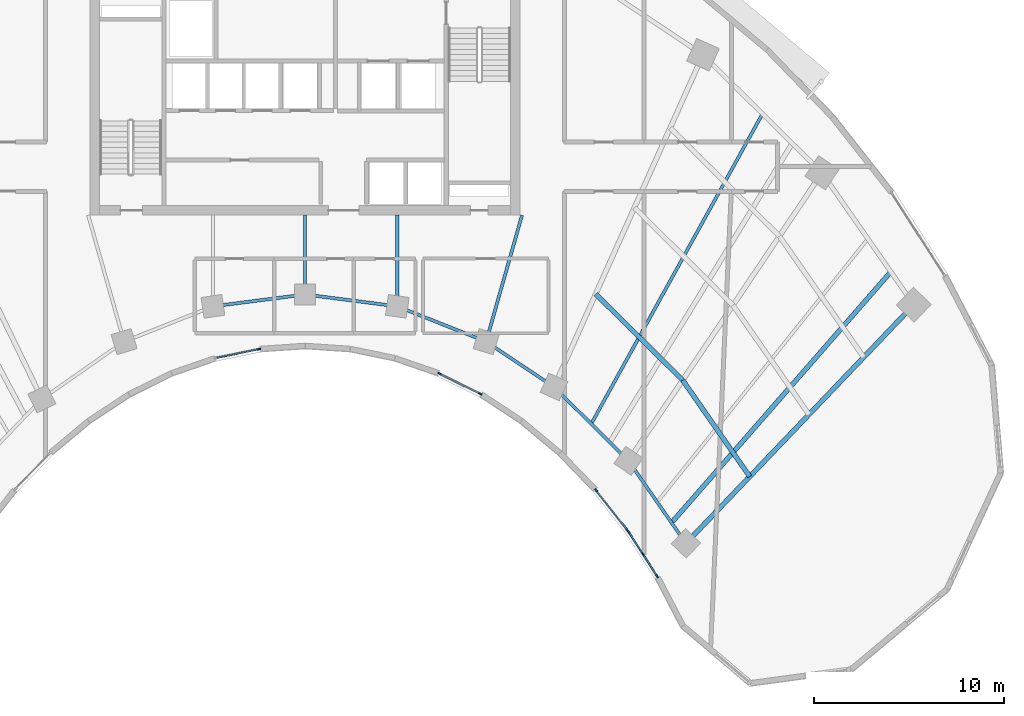
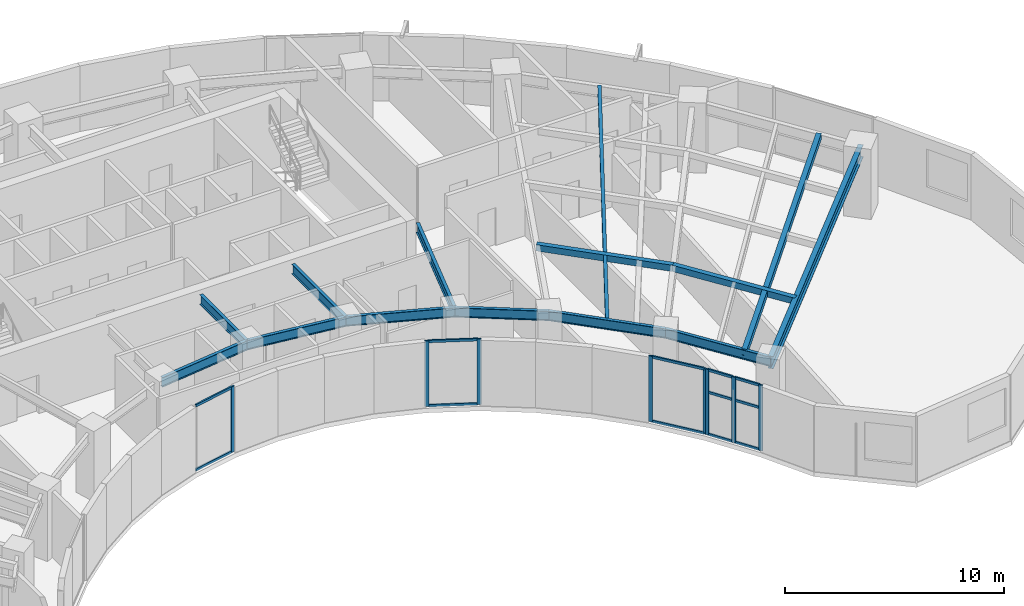
# One storey, part 3 of 14: 20 members, 14 beams, 4 elements without a shape of their own.
"""IFC4 building model written with IfcOpenShell, lengths in metres."""

from ifc_helpers import new_model, si_unit, direction, frame, origin, origin_2d, place, context, subcontext, project, spatial, rectangle, hollow_rectangle, i_section, extrude, source, transform, mapped, material, layer, layer_set, material_profile, profile_set, type_object, type_shapes, element, aggregate, save


model = new_model("IFC4")

# Units and contexts
model_context = context("Model", 3, precision=1e-05, world=origin(), true_north=direction((0.0, 1.0)))
body_context = subcontext(model_context, "Body", "Model", "MODEL_VIEW")
ifc_project = project(units=[si_unit("LENGTHUNIT", "METRE"), si_unit("AREAUNIT", "SQUARE_METRE"), si_unit("VOLUMEUNIT", "CUBIC_METRE"), si_unit("PLANEANGLEUNIT", "RADIAN"), si_unit("MASSUNIT", "GRAM", prefix="KILO")], contexts=[model_context])

# Site, building, storey
site_placement = place(None, origin())
site = spatial("IfcSite", under=ifc_project, at=site_placement, CompositionType="ELEMENT")
building_placement = place(site_placement, origin())
building = spatial("IfcBuilding", under=site, at=building_placement, Name="Breltana Convention Tower", CompositionType="ELEMENT")
storey_placement = place(building_placement, frame((0.0, 0.0, 131.10009765625)))
storey = spatial("IfcBuildingStorey", under=building, at=storey_placement, Name="L31", CompositionType="ELEMENT", Elevation=131.10009765625)

# Beams
ifc_material_1 = material(Name="Steel ASTM A992 Grade 50", Category="steel")
ifc_material_profile_1 = material_profile(ifc_material_1, i_section(OverallWidth=0.25390625, OverallDepth=0.68798828125, WebThickness=0.01318359375, FlangeThickness=0.02099609375, at=origin_2d()), Name="W27X102")
ifc_profile_set_1 = profile_set([ifc_material_profile_1], Name="Steel ASTM A992 Grade 50")
beam_type_1 = type_object("IfcBeamType", Name="BM-RG-W27X102", PredefinedType="USERDEFINED", material=ifc_profile_set_1)
shared_shape_1 = source(origin(), body_context, "Body", "SweptSolid", [
    extrude(i_section(OverallWidth=0.25390625, OverallDepth=0.68798828125, WebThickness=0.01318359375, FlangeThickness=0.02099609375, at=origin_2d()), origin(), (0.0, 0.0, 1.0), 17.341064453125),
])
type_shapes(beam_type_1, [shared_shape_1])
beam_1_placement = place(storey_placement, frame((68.015380859375, 42.95458984375, 3.305908203125), z_axis=(0.690716462293, 0.723125693581, 0.0), x_axis=(-0.723125693581, 0.690716462293, 0.0)))
element("IfcBeam", 1, at=beam_1_placement, inside=storey, type_object=beam_type_1, Name="L31 Radial Floor Girder R11", ObjectType="GIRDER", PredefinedType="USERDEFINED", context=body_context, shape_type="MappedRepresentation", body=[
    mapped(shared_shape_1, transform((0.0, 0.0, 0.0), scale=1.0)),
])
ifc_material_profile_2 = material_profile(ifc_material_1, i_section(OverallWidth=0.166015625, OverallDepth=0.534912109375, WebThickness=0.01025390625, FlangeThickness=0.0166015625, at=origin_2d()), Name="W21X57")
ifc_profile_set_2 = profile_set([ifc_material_profile_2], Name="Steel ASTM A992 Grade 50")
beam_type_2 = type_object("IfcBeamType", Name="BM-BM-W21X57", PredefinedType="BEAM", material=ifc_profile_set_2)
shared_shape_2 = source(origin(), body_context, "Body", "SweptSolid", [
    extrude(i_section(OverallWidth=0.166015625, OverallDepth=0.534912109375, WebThickness=0.01025390625, FlangeThickness=0.0166015625, at=origin_2d()), origin(), (0.0, 0.0, 1.0), 6.904541015625),
])
type_shapes(beam_type_2, [shared_shape_2])
beam_2_placement = place(storey_placement, frame((59.39990234375, 60.199951171875, 3.38232421875), z_axis=(-0.273006781054, -0.962012108811, 0.0), x_axis=(0.962012108811, -0.273006781054, 0.0)))
element("IfcBeam", 2, at=beam_2_placement, inside=storey, type_object=beam_type_2, Name="L31 South Core Tie Girder R08", PredefinedType="BEAM", context=body_context, shape_type="MappedRepresentation", body=[
    mapped(shared_shape_2, transform((0.0, 0.0, 0.0), scale=1.0)),
])
shared_shape_3 = source(origin(), body_context, "Body", "SweptSolid", [
    extrude(i_section(OverallWidth=0.166015625, OverallDepth=0.534912109375, WebThickness=0.01025390625, FlangeThickness=0.0166015625, at=origin_2d()), origin(), (0.0, 0.0, 1.0), 4.789306640625),
])
beam_3_placement = place(storey_placement, frame((52.846435546875, 60.199951171875, 3.38232421875), z_axis=(0.0, -1.0, 0.0), x_axis=(1.0, 0.0, 0.0)))
element("IfcBeam", 3, at=beam_3_placement, inside=storey, type_object=beam_type_2, Name="L31 South Core Tie Girder R07", PredefinedType="BEAM", context=body_context, shape_type="MappedRepresentation", body=[
    mapped(shared_shape_3, transform((0.0, 0.0, 0.0), scale=1.0)),
])
shared_shape_4 = source(origin(), body_context, "Body", "SweptSolid", [
    extrude(i_section(OverallWidth=0.166015625, OverallDepth=0.534912109375, WebThickness=0.01025390625, FlangeThickness=0.0166015625, at=origin_2d()), origin(), (0.0, 0.0, 1.0), 4.1640625),
])
beam_4_placement = place(storey_placement, frame((48.0, 60.199951171875, 3.38232421875), z_axis=(0.0, -1.0, 0.0), x_axis=(1.0, 0.0, 0.0)))
element("IfcBeam", 4, at=beam_4_placement, inside=storey, type_object=beam_type_2, Name="L31 South Core Tie Girder R06", PredefinedType="BEAM", context=body_context, shape_type="MappedRepresentation", body=[
    mapped(shared_shape_4, transform((0.0, 0.0, 0.0), scale=1.0)),
])
shared_shape_5 = source(origin(), body_context, "Body", "SweptSolid", [
    extrude(i_section(OverallWidth=0.166015625, OverallDepth=0.534912109375, WebThickness=0.01025390625, FlangeThickness=0.0166015625, at=origin_2d()), origin(), (0.0, 0.0, 1.0), 5.022705078125),
])
beam_5_placement = place(storey_placement, frame((52.846435546875, 55.41064453125, 3.38232421875), z_axis=(0.929458966248, -0.368925507469, 0.0), x_axis=(0.368925507469, 0.929458966248, 0.0)))
element("IfcBeam", 5, at=beam_5_placement, inside=storey, type_object=beam_type_2, Name="L31 Inner Ring Beam 07", PredefinedType="BEAM", context=body_context, shape_type="MappedRepresentation", body=[
    mapped(shared_shape_5, transform((0.0, 0.0, 0.0), scale=1.0)),
])
shared_shape_6 = source(origin(), body_context, "Body", "SweptSolid", [
    extrude(i_section(OverallWidth=0.166015625, OverallDepth=0.534912109375, WebThickness=0.01025390625, FlangeThickness=0.0166015625, at=origin_2d()), origin(), (0.0, 0.0, 1.0), 4.88671875),
])
for number, where, z_axis, x_axis, name in (
    (6, (43.153564453125, 55.41064453125, 3.38232421875), (0.991780525565, 0.127950729231, 0.0), (-0.127950729231, 0.991780525565, 0.0), "L31 Inner Ring Beam 05"),
    (7, (48.0, 56.035888671875, 3.38232421875), (0.991780525565, -0.127950729231, 0.0), (0.127950729231, 0.991780525565, 0.0), "L31 Inner Ring Beam 06"),
):
    element("IfcBeam", number, at=place(storey_placement, frame(where, z_axis=z_axis, x_axis=x_axis)), inside=storey, type_object=beam_type_2, Name=name, PredefinedType="BEAM", context=body_context, shape_type="MappedRepresentation", body=[
        mapped(shared_shape_6, transform((0.0, 0.0, 0.0), scale=1.0)),
    ])
shared_shape_7 = source(origin(), body_context, "Body", "SweptSolid", [
    extrude(i_section(OverallWidth=0.166015625, OverallDepth=0.534912109375, WebThickness=0.01025390625, FlangeThickness=0.0166015625, at=origin_2d()), origin(), (0.0, 0.0, 1.0), 4.2900390625),
])
beam_6_placement = place(storey_placement, frame((57.514892578125, 53.5576171875, 3.38232421875), z_axis=(0.831515827753, -0.555501060482, 0.0), x_axis=(0.555501060482, 0.831515827753, 0.0)))
element("IfcBeam", 8, at=beam_6_placement, inside=storey, type_object=beam_type_2, Name="L31 Inner Ring Beam 08", PredefinedType="BEAM", context=body_context, shape_type="MappedRepresentation", body=[
    mapped(shared_shape_7, transform((0.0, 0.0, 0.0), scale=1.0)),
])
shared_shape_8 = source(origin(), body_context, "Body", "SweptSolid", [
    extrude(i_section(OverallWidth=0.166015625, OverallDepth=0.534912109375, WebThickness=0.01025390625, FlangeThickness=0.0166015625, at=origin_2d()), origin(), (0.0, 0.0, 1.0), 5.51171875),
])
beam_7_placement = place(storey_placement, frame((61.08203125, 51.174560546875, 3.38232421875), z_axis=(0.710090360749, -0.704110559196, 0.0), x_axis=(0.704110559196, 0.710090360749, 0.0)))
element("IfcBeam", 9, at=beam_7_placement, inside=storey, type_object=beam_type_2, Name="L31 Inner Ring Beam 09", PredefinedType="BEAM", context=body_context, shape_type="MappedRepresentation", body=[
    mapped(shared_shape_8, transform((0.0, 0.0, 0.0), scale=1.0)),
])
shared_shape_9 = source(origin(), body_context, "Body", "SweptSolid", [
    extrude(i_section(OverallWidth=0.166015625, OverallDepth=0.534912109375, WebThickness=0.01025390625, FlangeThickness=0.0166015625, at=origin_2d()), origin(), (0.0, 0.0, 1.0), 5.286376953125),
])
beam_8_placement = place(storey_placement, frame((64.995849609375, 47.293701171875, 3.38232421875), z_axis=(0.571194382458, -0.82081482531, 0.0), x_axis=(0.82081482531, 0.571194382458, 0.0)))
element("IfcBeam", 10, at=beam_8_placement, inside=storey, type_object=beam_type_2, Name="L31 Inner Ring Beam 10", PredefinedType="BEAM", context=body_context, shape_type="MappedRepresentation", body=[
    mapped(shared_shape_9, transform((0.0, 0.0, 0.0), scale=1.0)),
])
ifc_material_profile_3 = material_profile(ifc_material_1, hollow_rectangle(XDim=0.25, YDim=0.35009765625, WallThickness=0.011962890625, at=origin_2d()), Name="RHS350X250X12")
ifc_profile_set_3 = profile_set([ifc_material_profile_3], Name="Steel ASTM A992 Grade 50")
beam_type_3 = type_object("IfcBeamType", Name="BM-JSG-12", PredefinedType="JOIST", material=ifc_profile_set_3)
shared_shape_10 = source(origin(), body_context, "Body", "SweptSolid", [
    extrude(hollow_rectangle(XDim=0.25, YDim=0.35009765625, WallThickness=0.011962890625, at=origin_2d()), origin(), (0.0, 0.0, 1.0), 6.435302734375),
])
beam_9_placement = place(storey_placement, frame((63.27392578125, 56.06298828125, 3.474853515625), z_axis=(0.710116389828, -0.704084308089, 0.0), x_axis=(0.704084308089, 0.710116389828, 0.0)))
element("IfcBeam", 11, at=beam_9_placement, inside=storey, type_object=beam_type_3, Name="L31 Composite Floor Joist 09.1", PredefinedType="JOIST", context=body_context, shape_type="MappedRepresentation", body=[
    mapped(shared_shape_10, transform((0.0, 0.0, 0.0), scale=1.0)),
])
ifc_material_profile_4 = material_profile(ifc_material_1, i_section(OverallWidth=0.166015625, OverallDepth=0.534912109375, WebThickness=0.01025390625, FlangeThickness=0.0166015625, at=origin_2d()), Name="W21X57")
ifc_profile_set_4 = profile_set([ifc_material_profile_4], Name="Steel ASTM A992 Grade 50")
beam_type_4 = type_object("IfcBeamType", Name="BM-JSG-05", PredefinedType="JOIST", material=ifc_profile_set_4)
shared_shape_11 = source(origin(), body_context, "Body", "SweptSolid", [
    extrude(i_section(OverallWidth=0.166015625, OverallDepth=0.534912109375, WebThickness=0.01025390625, FlangeThickness=0.0166015625, at=origin_2d()), origin(), (0.0, 0.0, 1.0), 18.617431640625),
])
beam_10_placement = place(storey_placement, frame((63.038818359375, 49.234130859375, 3.38232421875), z_axis=(0.483405602507, 0.875396495004, 0.0), x_axis=(-0.875396495004, 0.483405602507, 0.0)))
element("IfcBeam", 12, at=beam_10_placement, inside=storey, type_object=beam_type_4, Name="L31 Mid-Bay Radial Trimmer 09", PredefinedType="JOIST", context=body_context, shape_type="MappedRepresentation", body=[
    mapped(shared_shape_11, transform((0.0, 0.0, 0.0), scale=1.0)),
])
shared_shape_12 = source(origin(), body_context, "Body", "SweptSolid", [
    extrude(hollow_rectangle(XDim=0.25, YDim=0.35009765625, WallThickness=0.011962890625, at=origin_2d()), origin(), (0.0, 0.0, 1.0), 6.172119140625),
])
beam_11_placement = place(storey_placement, frame((67.84375, 51.531982421875, 3.474853515625), z_axis=(0.571211663392, -0.820802799462, 0.0), x_axis=(0.820802799462, 0.571211663392, 0.0)))
element("IfcBeam", 13, at=beam_11_placement, inside=storey, type_object=beam_type_3, Name="L31 Composite Floor Joist 10.1", PredefinedType="JOIST", context=body_context, shape_type="MappedRepresentation", body=[
    mapped(shared_shape_12, transform((0.0, 0.0, 0.0), scale=1.0)),
])
shared_shape_13 = source(origin(), body_context, "Body", "SweptSolid", [
    extrude(hollow_rectangle(XDim=0.25, YDim=0.35009765625, WallThickness=0.011962890625, at=origin_2d()), origin(), (0.0, 0.0, 1.0), 17.515625),
])
beam_12_placement = place(storey_placement, frame((67.260498046875, 44.03955078125, 3.474853515625), z_axis=(0.658051548324, 0.752972881151, 0.0), x_axis=(-0.752972881151, 0.658051548324, 0.0)))
element("IfcBeam", 14, at=beam_12_placement, inside=storey, type_object=beam_type_3, Name="L31 Quarter-Bay Radial Trimmer 10", PredefinedType="JOIST", context=body_context, shape_type="MappedRepresentation", body=[
    mapped(shared_shape_13, transform((0.0, 0.0, 0.0), scale=1.0)),
])

# Curtain wall, members
ifc_material_2 = material(Name="Aluminium Anodised Bronze Frame", Category="aluminium")
ifc_layer = layer(ifc_material_2, 0.18994140625, Name="Aluminium Anodised Bronze Frame")
ifc_layer_set = layer_set([ifc_layer], Name="Aluminium Anodised Bronze Frame")
curtain_wall_type = type_object("IfcCurtainWallType", Name="CW-SYS-1", PredefinedType="NOTDEFINED", material=ifc_layer_set)
curtain_wall_1_placement = place(storey_placement, origin())
curtain_wall_1 = element("IfcCurtainWall", 15, at=curtain_wall_1_placement, inside=storey, type_object=curtain_wall_type, Name="L31 inner south-court glazing 1", PredefinedType="NOTDEFINED")
ifc_material_3 = material(Name="Aluminium Anodised Bronze", Category="aluminium")
ifc_material_profile_5 = material_profile(ifc_material_3, rectangle(XDim=0.080078125, YDim=0.139892578125, at=origin_2d()), Name="CWT-80X140")
ifc_profile_set_5 = profile_set([ifc_material_profile_5], Name="Aluminium Anodised Bronze")
member_type_1 = type_object("IfcMemberType", Name="CWT-140", PredefinedType="USERDEFINED", material=ifc_profile_set_5)
shared_shape_14 = source(origin(), body_context, "Body", "SweptSolid", [
    extrude(rectangle(XDim=0.080078125, YDim=0.139892578125, at=origin_2d()), origin(), (0.0, 0.0, 1.0), 1.30029296875),
])
member_1_placement = place(storey_placement, frame((66.4794921875, 41.259521484375, 0.039794921875), z_axis=(-0.540188084224, 0.841544314735, 0.0), x_axis=(-0.841544314735, -0.540188084224, 0.0)))
member_1 = element("IfcMember", 16, at=member_1_placement, type_object=member_type_1, Name="CW-01 transom 1.1", ObjectType="TRANSOM", PredefinedType="USERDEFINED", context=body_context, shape_type="MappedRepresentation", body=[
    mapped(shared_shape_14, transform((0.0, 0.0, 0.0), scale=1.0)),
])
member_2_placement = place(storey_placement, frame((66.4794921875, 41.259521484375, 2.372314453125), z_axis=(-0.540188084224, 0.841544314735, 0.0), x_axis=(-0.841544314735, -0.540188084224, 0.0)))
member_2 = element("IfcMember", 17, at=member_2_placement, type_object=member_type_1, Name="CW-01 transom 1.2", ObjectType="TRANSOM", PredefinedType="USERDEFINED", context=body_context, shape_type="MappedRepresentation", body=[
    mapped(shared_shape_14, transform((0.0, 0.0, 0.0), scale=1.0)),
])
member_3_placement = place(storey_placement, frame((66.4794921875, 41.259521484375, 3.60986328125), z_axis=(-0.540188084224, 0.841544314735, 0.0), x_axis=(-0.841544314735, -0.540188084224, 0.0)))
member_3 = element("IfcMember", 18, at=member_3_placement, type_object=member_type_1, Name="CW-01 transom 1.3", ObjectType="TRANSOM", PredefinedType="USERDEFINED", context=body_context, shape_type="MappedRepresentation", body=[
    mapped(shared_shape_14, transform((0.0, 0.0, 0.0), scale=1.0)),
])
shared_shape_15 = source(origin(), body_context, "Body", "SweptSolid", [
    extrude(rectangle(XDim=0.080078125, YDim=0.139892578125, at=origin_2d()), origin(), (0.0, 0.0, 1.0), 1.300048828125),
])
member_4_placement = place(storey_placement, frame((65.73388671875, 42.4208984375, 0.039794921875), z_axis=(-0.540140453972, 0.841574886735, 0.0), x_axis=(-0.841574886735, -0.540140453972, 0.0)))
member_4 = element("IfcMember", 19, at=member_4_placement, type_object=member_type_1, Name="CW-01 transom 2.1", ObjectType="TRANSOM", PredefinedType="USERDEFINED", context=body_context, shape_type="MappedRepresentation", body=[
    mapped(shared_shape_15, transform((0.0, 0.0, 0.0), scale=1.0)),
])
member_5_placement = place(storey_placement, frame((65.73388671875, 42.4208984375, 2.372314453125), z_axis=(-0.540140453972, 0.841574886735, 0.0), x_axis=(-0.841574886735, -0.540140453972, 0.0)))
member_5 = element("IfcMember", 20, at=member_5_placement, type_object=member_type_1, Name="CW-01 transom 2.2", ObjectType="TRANSOM", PredefinedType="USERDEFINED", context=body_context, shape_type="MappedRepresentation", body=[
    mapped(shared_shape_15, transform((0.0, 0.0, 0.0), scale=1.0)),
])
member_6_placement = place(storey_placement, frame((65.73388671875, 42.4208984375, 3.60986328125), z_axis=(-0.540140453972, 0.841574886735, 0.0), x_axis=(-0.841574886735, -0.540140453972, 0.0)))
member_6 = element("IfcMember", 21, at=member_6_placement, type_object=member_type_1, Name="CW-01 transom 2.3", ObjectType="TRANSOM", PredefinedType="USERDEFINED", context=body_context, shape_type="MappedRepresentation", body=[
    mapped(shared_shape_15, transform((0.0, 0.0, 0.0), scale=1.0)),
])

curtain_wall_2_placement = place(storey_placement, origin())
curtain_wall_2 = element("IfcCurtainWall", 22, at=curtain_wall_2_placement, inside=storey, type_object=curtain_wall_type, Name="L31 inner south-court glazing 2", PredefinedType="NOTDEFINED")
shared_shape_16 = source(origin(), body_context, "Body", "SweptSolid", [
    extrude(rectangle(XDim=0.080078125, YDim=0.139892578125, at=origin_2d()), origin(), (0.0, 0.0, 1.0), 2.6005859375),
])
member_7_placement = place(storey_placement, frame((64.928955078125, 43.6591796875, 0.039794921875), z_axis=(-0.618078566977, 0.786116330478, 0.0), x_axis=(-0.786116330478, -0.618078566977, 0.0)))
member_7 = element("IfcMember", 23, at=member_7_placement, type_object=member_type_1, Name="CW-01 transom 1.1", ObjectType="TRANSOM", PredefinedType="USERDEFINED", context=body_context, shape_type="MappedRepresentation", body=[
    mapped(shared_shape_16, transform((0.0, 0.0, 0.0), scale=1.0)),
])
member_8_placement = place(storey_placement, frame((64.928955078125, 43.6591796875, 3.60986328125), z_axis=(-0.618078566977, 0.786116330478, 0.0), x_axis=(-0.786116330478, -0.618078566977, 0.0)))
member_8 = element("IfcMember", 24, at=member_8_placement, type_object=member_type_1, Name="CW-01 transom 1.2", ObjectType="TRANSOM", PredefinedType="USERDEFINED", context=body_context, shape_type="MappedRepresentation", body=[
    mapped(shared_shape_16, transform((0.0, 0.0, 0.0), scale=1.0)),
])

curtain_wall_3_placement = place(storey_placement, origin())
curtain_wall_3 = element("IfcCurtainWall", 25, at=curtain_wall_3_placement, inside=storey, type_object=curtain_wall_type, Name="L31 inner south-court glazing 3", PredefinedType="NOTDEFINED")
shared_shape_17 = source(origin(), body_context, "Body", "SweptSolid", [
    extrude(rectangle(XDim=0.080078125, YDim=0.139892578125, at=origin_2d()), origin(), (0.0, 0.0, 1.0), 2.302490234375),
])
member_9_placement = place(storey_placement, frame((57.167236328125, 50.83251953125, 0.039794921875), z_axis=(-0.895948802276, 0.444157341152, 0.0), x_axis=(-0.444157341152, -0.895948802276, 0.0)))
member_9 = element("IfcMember", 26, at=member_9_placement, type_object=member_type_1, Name="CW-01 transom 1.1", ObjectType="TRANSOM", PredefinedType="USERDEFINED", context=body_context, shape_type="MappedRepresentation", body=[
    mapped(shared_shape_17, transform((0.0, 0.0, 0.0), scale=1.0)),
])
member_10_placement = place(storey_placement, frame((57.167236328125, 50.83251953125, 3.60986328125), z_axis=(-0.895948802276, 0.444157341152, 0.0), x_axis=(-0.444157341152, -0.895948802276, 0.0)))
member_10 = element("IfcMember", 27, at=member_10_placement, type_object=member_type_1, Name="CW-01 transom 1.2", ObjectType="TRANSOM", PredefinedType="USERDEFINED", context=body_context, shape_type="MappedRepresentation", body=[
    mapped(shared_shape_17, transform((0.0, 0.0, 0.0), scale=1.0)),
])

curtain_wall_4_placement = place(storey_placement, origin())
curtain_wall_4 = element("IfcCurtainWall", 28, at=curtain_wall_4_placement, inside=storey, type_object=curtain_wall_type, Name="L31 inner south-court glazing 4", PredefinedType="NOTDEFINED")
shared_shape_18 = source(origin(), body_context, "Body", "SweptSolid", [
    extrude(rectangle(XDim=0.080078125, YDim=0.139892578125, at=origin_2d()), origin(), (0.0, 0.0, 1.0), 2.2138671875),
])
member_11_placement = place(storey_placement, frame((45.535888671875, 53.15576171875, 0.039794921875), z_axis=(-0.979627741123, -0.200822032712, 0.0), x_axis=(0.200822032712, -0.979627741123, 0.0)))
member_11 = element("IfcMember", 29, at=member_11_placement, type_object=member_type_1, Name="CW-01 transom 1.1", ObjectType="TRANSOM", PredefinedType="USERDEFINED", context=body_context, shape_type="MappedRepresentation", body=[
    mapped(shared_shape_18, transform((0.0, 0.0, 0.0), scale=1.0)),
])
member_12_placement = place(storey_placement, frame((45.535888671875, 53.15576171875, 3.60986328125), z_axis=(-0.979627741123, -0.200822032712, 0.0), x_axis=(0.200822032712, -0.979627741123, 0.0)))
member_12 = element("IfcMember", 30, at=member_12_placement, type_object=member_type_1, Name="CW-01 transom 1.2", ObjectType="TRANSOM", PredefinedType="USERDEFINED", context=body_context, shape_type="MappedRepresentation", body=[
    mapped(shared_shape_18, transform((0.0, 0.0, 0.0), scale=1.0)),
])

# Member
ifc_material_profile_6 = material_profile(ifc_material_3, rectangle(XDim=0.080078125, YDim=0.199951171875, at=origin_2d()), Name="CWM-80X200")
ifc_profile_set_6 = profile_set([ifc_material_profile_6], Name="Aluminium Anodised Bronze")
member_type_2 = type_object("IfcMemberType", Name="CWM-200", PredefinedType="MULLION", material=ifc_profile_set_6)
shared_shape_19 = source(origin(), body_context, "Body", "SweptSolid", [
    extrude(rectangle(XDim=0.080078125, YDim=0.199951171875, at=origin_2d()), origin(), (0.0, 0.0, 1.0), 3.64990234375),
])
member_13_placement = place(storey_placement, frame((66.5009765625, 41.22607421875, 0.0), z_axis=(0.0, 0.0, 1.0), x_axis=(-0.841551235949, -0.5401773017, 0.0)))
member_13 = element("IfcMember", 31, at=member_13_placement, type_object=member_type_2, Name="CW-01 mullion 1", PredefinedType="MULLION", context=body_context, shape_type="MappedRepresentation", body=[
    mapped(shared_shape_19, transform((0.0, 0.0, 0.0), scale=1.0)),
])

member_14_placement = place(storey_placement, frame((65.755615234375, 42.38720703125, 0.0), z_axis=(0.0, 0.0, 1.0), x_axis=(-0.841551235949, -0.5401773017, 0.0)))
member_14 = element("IfcMember", 32, at=member_14_placement, type_object=member_type_2, Name="CW-01 mullion 2", PredefinedType="MULLION", context=body_context, shape_type="MappedRepresentation", body=[
    mapped(shared_shape_19, transform((0.0, 0.0, 0.0), scale=1.0)),
])

member_15_placement = place(storey_placement, frame((65.010009765625, 43.548583984375, 0.0), z_axis=(0.0, 0.0, 1.0), x_axis=(-0.841551235949, -0.5401773017, 0.0)))
member_15 = element("IfcMember", 33, at=member_15_placement, type_object=member_type_2, Name="CW-01 mullion 3", PredefinedType="MULLION", context=body_context, shape_type="MappedRepresentation", body=[
    mapped(shared_shape_19, transform((0.0, 0.0, 0.0), scale=1.0)),
])

aggregate(curtain_wall_1, [member_13, member_14, member_15, member_1, member_2, member_3, member_4, member_5, member_6])

member_16_placement = place(storey_placement, frame((64.953857421875, 43.6279296875, 0.0), z_axis=(0.0, 0.0, 1.0), x_axis=(-0.786054302547, -0.61815745037, 0.0)))
member_16 = element("IfcMember", 34, at=member_16_placement, type_object=member_type_2, Name="CW-01 mullion 1", PredefinedType="MULLION", context=body_context, shape_type="MappedRepresentation", body=[
    mapped(shared_shape_19, transform((0.0, 0.0, 0.0), scale=1.0)),
])

member_17_placement = place(storey_placement, frame((63.296630859375, 45.73486328125, 0.0), z_axis=(0.0, 0.0, 1.0), x_axis=(-0.786054302547, -0.61815745037, 0.0)))
member_17 = element("IfcMember", 35, at=member_17_placement, type_object=member_type_2, Name="CW-01 mullion 2", PredefinedType="MULLION", context=body_context, shape_type="MappedRepresentation", body=[
    mapped(shared_shape_19, transform((0.0, 0.0, 0.0), scale=1.0)),
])

aggregate(curtain_wall_2, [member_16, member_17, member_7, member_8])

member_18_placement = place(storey_placement, frame((57.203125, 50.814697265625, 0.0), z_axis=(0.0, 0.0, 1.0), x_axis=(-0.444124759622, -0.895964953495, 0.0)))
member_18 = element("IfcMember", 36, at=member_18_placement, type_object=member_type_2, Name="CW-01 mullion 1", PredefinedType="MULLION", context=body_context, shape_type="MappedRepresentation", body=[
    mapped(shared_shape_19, transform((0.0, 0.0, 0.0), scale=1.0)),
])

member_19_placement = place(storey_placement, frame((55.068359375, 51.873046875, 0.0), z_axis=(0.0, 0.0, 1.0), x_axis=(-0.444124759622, -0.895964953495, 0.0)))
member_19 = element("IfcMember", 37, at=member_19_placement, type_object=member_type_2, Name="CW-01 mullion 2", PredefinedType="MULLION", context=body_context, shape_type="MappedRepresentation", body=[
    mapped(shared_shape_19, transform((0.0, 0.0, 0.0), scale=1.0)),
])

aggregate(curtain_wall_3, [member_18, member_19, member_9, member_10])

member_20_placement = place(storey_placement, frame((45.574951171875, 53.163818359375, 0.0), z_axis=(0.0, 0.0, 1.0), x_axis=(0.200852929183, -0.979621406891, 0.0)))
member_20 = element("IfcMember", 38, at=member_20_placement, type_object=member_type_2, Name="CW-01 mullion 1", PredefinedType="MULLION", context=body_context, shape_type="MappedRepresentation", body=[
    mapped(shared_shape_19, transform((0.0, 0.0, 0.0), scale=1.0)),
])

aggregate(curtain_wall_4, [member_20, member_11, member_12])

save(model, "model.ifc")
